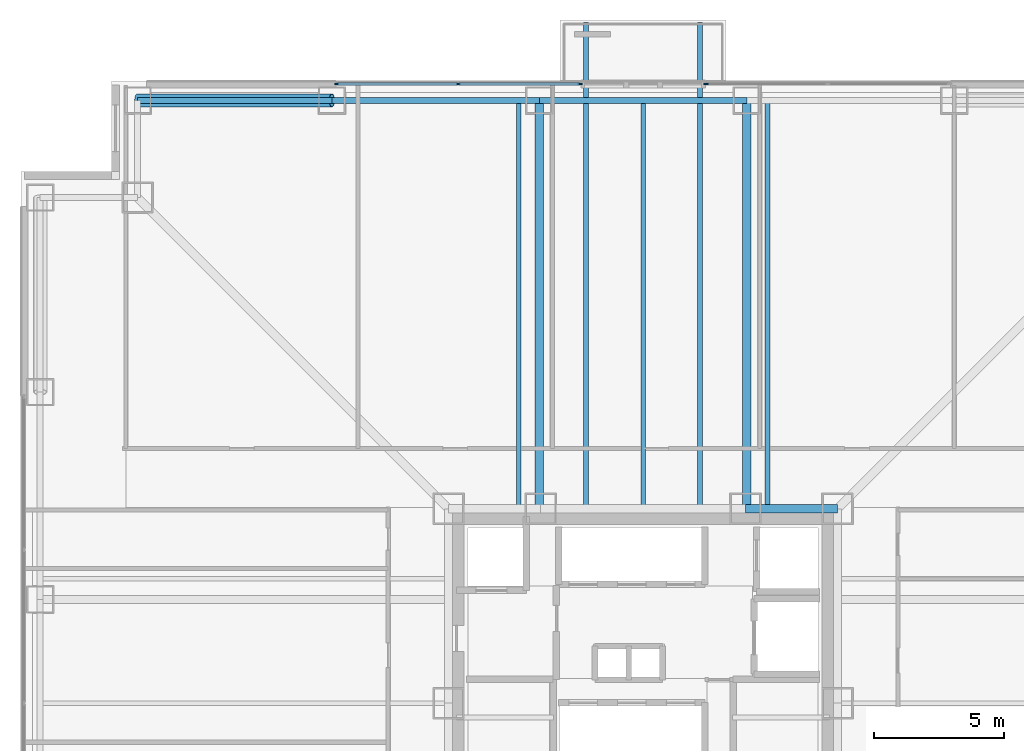
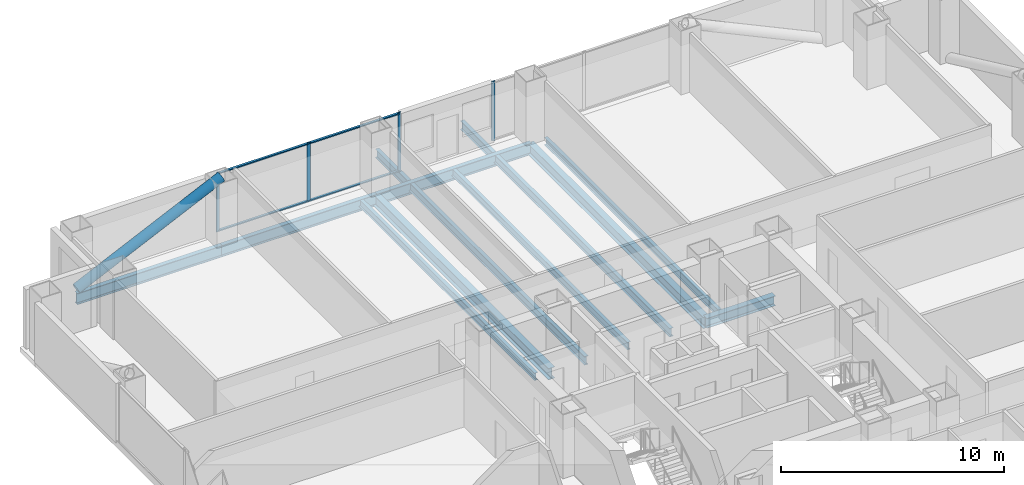
# One storey, part 8 of 16: 11 beams, 9 members, 2 elements without a shape of their own.
"""IFC4 building model written with IfcOpenShell, lengths in metres."""

import ifcopenshell
import ifcopenshell.guid

model = None  # the IFC model being written
_history = None  # IfcOwnerHistory: only IFC2X3 demands one
_inside = {}  # id of a spatial element -> (the spatial element, [elements in it])
_under = {}  # id of a project, library or spatial element -> (it, [spatial elements below it])
_declared = {}  # id of a project -> (the project, [libraries it declares])
_typed = {}  # id of a type object -> (the type object, [elements of that type])
_made_of = {}  # id of a material, layer set ... -> (it, [elements and type objects made of it])


def new_model(schema):
    """Start an empty IFC model of exactly this schema.

    Asked for "IFC4X3", IfcOpenShell would pick the latest addendum, in which some entities
    have other attributes; the version numbers below select the first issue.
    IFC2X3 requires an IfcOwnerHistory on every rooted entity: one is made here for all.
    """
    global model, _history
    if schema == "IFC4X3":
        model = ifcopenshell.file(schema_version=(4, 3, 0, 0))
    else:
        model = ifcopenshell.file(schema=schema)
    _inside.clear()
    _under.clear()
    _declared.clear()
    _typed.clear()
    _made_of.clear()
    _history = None
    if model.schema == "IFC2X3":
        org = make("IfcOrganization", Name="unknown")
        user = make(
            "IfcPersonAndOrganization",
            ThePerson=make("IfcPerson", FamilyName="unknown"),
            TheOrganization=org,
        )
        app = make(
            "IfcApplication",
            ApplicationDeveloper=org,
            Version="unknown",
            ApplicationFullName="unknown",
            ApplicationIdentifier="unknown",
        )
        _history = make(
            "IfcOwnerHistory",
            OwningUser=user,
            OwningApplication=app,
            ChangeAction="ADDED",
            CreationDate=0,
        )
    return model


def make(cls, **values):
    """One entity of the class cls with the attributes given. An attribute that is None is left unset."""
    return model.create_entity(
        cls, **{name: value for name, value in values.items() if value is not None}
    )


def rooted(cls, **values):
    """An entity with a GlobalId (a new one), such as an element, a storey or a relation."""
    return make(cls, GlobalId=ifcopenshell.guid.new(), OwnerHistory=_history, **values)


def si_unit(unit_type, name, prefix=None):
    """IfcSIUnit, for example si_unit("LENGTHUNIT", "METRE", prefix="MILLI")."""
    return make("IfcSIUnit", UnitType=unit_type, Prefix=prefix, Name=name)


def assignment(units):
    """IfcUnitAssignment: the units of a project."""
    return None if units is None else make("IfcUnitAssignment", Units=units)


def point(xyz):
    """IfcCartesianPoint."""
    return None if xyz is None else make("IfcCartesianPoint", Coordinates=xyz)


def direction(xyz):
    """IfcDirection."""
    return None if xyz is None else make("IfcDirection", DirectionRatios=xyz)


def frame(location, z_axis=None, x_axis=None):
    """IfcAxis2Placement3D, a coordinate frame: its origin and axes. An axis left out is left unset."""
    return make(
        "IfcAxis2Placement3D",
        Location=point(location),
        Axis=direction(z_axis),
        RefDirection=direction(x_axis),
    )


def frame_2d(location, x_axis=None):
    """IfcAxis2Placement2D, a coordinate frame in the plane: its origin and x axis."""
    return make(
        "IfcAxis2Placement2D", Location=point(location), RefDirection=direction(x_axis)
    )


def origin():
    """The frame at (0, 0, 0) with its axes left unset."""
    return frame((0.0, 0.0, 0.0))


def origin_2d():
    """The frame at (0, 0) in the plane with its x axis left unset."""
    return frame_2d((0.0, 0.0))


def place(relative_to, where):
    """IfcLocalPlacement: puts the frame where relative to a parent placement (None: the world)."""
    return make(
        "IfcLocalPlacement", PlacementRelTo=relative_to, RelativePlacement=where
    )


def context(
    kind, dimensions, precision=None, world=None, true_north=None, identifier=None
):
    """IfcGeometricRepresentationContext, for example the 3D "Model" context."""
    return make(
        "IfcGeometricRepresentationContext",
        ContextIdentifier=identifier,
        ContextType=kind,
        CoordinateSpaceDimension=dimensions,
        Precision=precision,
        WorldCoordinateSystem=world,
        TrueNorth=true_north,
    )


def subcontext(parent, identifier, kind, view, scale=None):
    """IfcGeometricRepresentationSubContext, for example "Body" below "Model"."""
    return make(
        "IfcGeometricRepresentationSubContext",
        ContextIdentifier=identifier,
        ContextType=kind,
        ParentContext=parent,
        TargetScale=scale,
        TargetView=view,
    )


def project(units=None, contexts=None):
    """IfcProject with its units and contexts."""
    return rooted(
        "IfcProject",
        Name="project",
        RepresentationContexts=contexts,
        UnitsInContext=assignment(units),
    )


def spatial(cls, under=None, at=None, **own):
    """A site, building, storey or space (cls), placed at a placement, below another one or the project."""
    s = rooted(cls, ObjectPlacement=at, **own)
    if under is not None:
        _under.setdefault(under.id(), (under, []))[1].append(s)
    return s


def profile(cls, at=None, kind="AREA", **sizes):
    """A parametric profile (cls). Its sizes go by their IFC names, for example OverallWidth=200.0."""
    return make(cls, ProfileType=kind, Position=at, **sizes)


def rectangle(**sizes):
    """IfcRectangleProfileDef."""
    return profile("IfcRectangleProfileDef", **sizes)


def hollow_circle(**sizes):
    """IfcCircleHollowProfileDef."""
    return profile("IfcCircleHollowProfileDef", **sizes)


def i_section(**sizes):
    """IfcIShapeProfileDef."""
    return profile("IfcIShapeProfileDef", **sizes)


def extrude(swept, where, along, depth):
    """IfcExtrudedAreaSolid: the profile swept, set in the frame where, extruded along a direction by depth."""
    return make(
        "IfcExtrudedAreaSolid",
        SweptArea=swept,
        Position=where,
        ExtrudedDirection=direction(along),
        Depth=depth,
    )


def shape(context_of_items, identifier, shape_type, items):
    """IfcShapeRepresentation: the items that make up one representation, for example the "Body"."""
    return make(
        "IfcShapeRepresentation",
        ContextOfItems=context_of_items,
        RepresentationIdentifier=identifier,
        RepresentationType=shape_type,
        Items=items,
    )


def material(Name=None, Category=None):
    """IfcMaterial."""
    return make("IfcMaterial", Name=Name, Category=Category)


def layer(
    of_material, thickness, ventilated=None, Name=None, Category=None, Priority=None
):
    """IfcMaterialLayer: one layer of a wall or slab, of a material (None: an air gap)."""
    return make(
        "IfcMaterialLayer",
        Material=of_material,
        LayerThickness=thickness,
        IsVentilated=ventilated,
        Name=Name,
        Category=Category,
        Priority=Priority,
    )


def layer_set(layers, Name=None):
    """IfcMaterialLayerSet."""
    return make("IfcMaterialLayerSet", MaterialLayers=layers, LayerSetName=Name)


def material_profile(
    of_material, cross_section, Name=None, Category=None, Priority=None
):
    """IfcMaterialProfile: a cross section and its material."""
    return make(
        "IfcMaterialProfile",
        Name=Name,
        Material=of_material,
        Profile=cross_section,
        Priority=Priority,
        Category=Category,
    )


def profile_set(profiles, Name=None, composite=None):
    """IfcMaterialProfileSet."""
    return make(
        "IfcMaterialProfileSet",
        Name=Name,
        MaterialProfiles=profiles,
        CompositeProfile=composite,
    )


def made_of(thing, what):
    """Note that an element or type object is made of a material, layer set ...; save() writes the relation."""
    if what is not None:
        _made_of.setdefault(what.id(), (what, []))[1].append(thing)
    return thing


def type_object(cls, material=None, **own):
    """A type object (cls), such as IfcWallType, which elements share."""
    return made_of(rooted(cls, **own), material)


def element(
    cls,
    number,
    at=None,
    inside=None,
    cuts=None,
    type_object=None,
    material=None,
    context=None,
    identifier="Body",
    shape_type=None,
    held_by="IfcProductDefinitionShape",
    body=None,
    shapes=None,
    **own,
):
    """One element of the class cls, such as IfcWall. Its Tag is "e" and its number.

    at: its placement. inside: the storey or other place that contains it. cuts: it is an
    opening in that element (IfcRelVoidsElement). A single representation is given by context,
    identifier, shape_type and body (its items); several are given by shapes. held_by: the class
    of the entity that holds the representations. save() writes the other relations.
    """
    e = rooted(cls, Tag="e%d" % number, ObjectPlacement=at, **own)
    if body is not None:
        shapes = [shape(context, identifier, shape_type, body)]
    if shapes is not None:
        e.Representation = make(held_by, Representations=shapes)
    if inside is not None:
        _inside.setdefault(inside.id(), (inside, []))[1].append(e)
    if cuts is not None:
        rooted(
            "IfcRelVoidsElement", RelatingBuildingElement=cuts, RelatedOpeningElement=e
        )
    if type_object is not None:
        _typed.setdefault(type_object.id(), (type_object, []))[1].append(e)
    return made_of(e, material)


def aggregate(whole, parts):
    """IfcRelAggregates: a whole, such as a stair, and the parts it consists of."""
    return rooted("IfcRelAggregates", RelatingObject=whole, RelatedObjects=parts)


def save(model, path):
    """Write the relations noted so far, then the file.

    IfcRelAggregates (storeys below a building ...), IfcRelContainedInSpatialStructure (elements
    in a storey), IfcRelDefinesByType, IfcRelAssociatesMaterial and IfcRelDeclares: one each for
    every whole, place, type object, material and project.
    """
    for whole, parts in _under.values():
        aggregate(whole, parts)
    for where, things in _inside.values():
        rooted(
            "IfcRelContainedInSpatialStructure",
            RelatedElements=things,
            RelatingStructure=where,
        )
    for kind, things in _typed.values():
        rooted("IfcRelDefinesByType", RelatedObjects=things, RelatingType=kind)
    for what, things in _made_of.values():
        rooted("IfcRelAssociatesMaterial", RelatedObjects=things, RelatingMaterial=what)
    for by, libraries in _declared.values():
        rooted("IfcRelDeclares", RelatingContext=by, RelatedDefinitions=libraries)
    model.write(path)


model = new_model("IFC4")

# Units and contexts
model_context = context("Model", 3, precision=1e-05, world=origin(), true_north=direction((0.0, 1.0)))
body_context = subcontext(model_context, "Body", "Model", "MODEL_VIEW")
ifc_project = project(units=[si_unit("LENGTHUNIT", "METRE"), si_unit("AREAUNIT", "SQUARE_METRE"), si_unit("VOLUMEUNIT", "CUBIC_METRE"), si_unit("PLANEANGLEUNIT", "RADIAN"), si_unit("MASSUNIT", "GRAM", prefix="KILO")], contexts=[model_context])

# Site, building, storey
site_placement = place(None, origin())
site = spatial("IfcSite", under=ifc_project, at=site_placement, CompositionType="ELEMENT")
building_placement = place(site_placement, origin())
building = spatial("IfcBuilding", under=site, at=building_placement, Name="Trevonay Congress Spire", CompositionType="ELEMENT")
storey_placement = place(building_placement, frame((0.0, 0.0, 65.5)))
storey = spatial("IfcBuildingStorey", under=building, at=storey_placement, Name="L16", CompositionType="ELEMENT", Elevation=65.5)

# Beams
ifc_material_1 = material(Name="Steel ASTM A572 Grade 50", Category="steel")
ifc_material_profile_1 = material_profile(ifc_material_1, i_section(OverallWidth=0.194091796875, OverallDepth=0.468994140625, WebThickness=0.011474609375, FlangeThickness=0.01953125, FilletRadius=0.013916015625, at=origin_2d()), Name="W460x106")
ifc_profile_set_1 = profile_set([ifc_material_profile_1], Name="Steel ASTM A572 Grade 50")
beam_type_1 = type_object("IfcBeamType", Name="BM-BAL-LOOKOUT", PredefinedType="BEAM", material=ifc_profile_set_1)
for number, where, z_axis, x_axis, name in (
    (1, (-2.199951171875, 7.5, -0.484619140625), (0.0, 1.0, 0.0), (-1.0, 0.0, 0.0), "L16 structural beam LKT-L16-N1"),
    (2, (2.199951171875, 7.5, -0.484619140625), (0.0, 1.0, 0.0), (-1.0, 0.0, 0.0), "L16 structural beam LKT-L16-N2"),
):
    element("IfcBeam", number, at=place(storey_placement, frame(where, z_axis=z_axis, x_axis=x_axis)), inside=storey, type_object=beam_type_1, Name=name, PredefinedType="BEAM", context=body_context, shape_type="SweptSolid", body=[
        extrude(i_section(OverallWidth=0.194091796875, OverallDepth=0.468994140625, WebThickness=0.011474609375, FlangeThickness=0.01953125, FilletRadius=0.013916015625, at=origin_2d()), origin(), (0.0, 0.0, 1.0), 18.75),
    ])
ifc_material_profile_2 = material_profile(ifc_material_1, i_section(OverallWidth=0.31201171875, OverallDepth=0.54296875, WebThickness=0.0126953125, FlangeThickness=0.020263671875, FilletRadius=0.014892578125, at=origin_2d()), Name="W530x150")
ifc_profile_set_2 = profile_set([ifc_material_profile_2], Name="Steel ASTM A572 Grade 50")
beam_type_2 = type_object("IfcBeamType", Name="BM-GIRD-W530X150", PredefinedType="BEAM", material=ifc_profile_set_2)
beam_1_placement = place(storey_placement, frame((3.949951171875, 7.5, -0.521484375), z_axis=(1.0, 0.0, 0.0), x_axis=(0.0, 1.0, 0.0)))
element("IfcBeam", 3, at=beam_1_placement, inside=storey, type_object=beam_type_2, Name="L16 structural beam BM-L16-CR-N3", PredefinedType="BEAM", context=body_context, shape_type="SweptSolid", body=[
    extrude(i_section(OverallWidth=0.31201171875, OverallDepth=0.54296875, WebThickness=0.0126953125, FlangeThickness=0.020263671875, FilletRadius=0.014892578125, at=origin_2d()), origin(), (0.0, 0.0, 1.0), 3.550048828125),
])
ifc_material_profile_3 = material_profile(ifc_material_1, i_section(OverallWidth=0.324951171875, OverallDepth=0.615966796875, WebThickness=0.013916015625, FlangeThickness=0.021484375, FilletRadius=0.01806640625, at=origin_2d()), Name="W610x174")
ifc_profile_set_3 = profile_set([ifc_material_profile_3], Name="Steel ASTM A572 Grade 50")
beam_type_3 = type_object("IfcBeamType", Name="BM-GIRD-W610X174", PredefinedType="BEAM", material=ifc_profile_set_3)
for number, where, z_axis, x_axis, name in (
    (4, (-4.0, 7.5, -0.55810546875), (0.0, 1.0, 0.0), (-1.0, 0.0, 0.0), "L16 structural beam BM-L16-GN-M"),
    (5, (4.0, 7.5, -0.55810546875), (0.0, 1.0, 0.0), (-1.0, 0.0, 0.0), "L16 structural beam BM-L16-GN-P"),
):
    element("IfcBeam", number, at=place(storey_placement, frame(where, z_axis=z_axis, x_axis=x_axis)), inside=storey, type_object=beam_type_3, Name=name, PredefinedType="BEAM", context=body_context, shape_type="SweptSolid", body=[
        extrude(i_section(OverallWidth=0.324951171875, OverallDepth=0.615966796875, WebThickness=0.013916015625, FlangeThickness=0.021484375, FilletRadius=0.01806640625, at=origin_2d()), origin(), (0.0, 0.0, 1.0), 15.75),
    ])
ifc_material_profile_4 = material_profile(ifc_material_1, i_section(OverallWidth=0.22998046875, OverallDepth=0.616943359375, WebThickness=0.01318359375, FlangeThickness=0.022216796875, FilletRadius=0.01611328125, at=origin_2d()), Name="W610x140")
ifc_profile_set_4 = profile_set([ifc_material_profile_4], Name="Steel ASTM A572 Grade 50")
beam_type_4 = type_object("IfcBeamType", Name="BM-RING-W610X140", PredefinedType="BEAM", material=ifc_profile_set_4)
beam_2_placement = place(storey_placement, frame((-19.5, 23.25, -0.55859375), z_axis=(1.0, 0.0, 0.0), x_axis=(0.0, 1.0, 0.0)))
element("IfcBeam", 6, at=beam_2_placement, inside=storey, type_object=beam_type_4, Name="L16 structural beam BM-L16-PN1", PredefinedType="BEAM", context=body_context, shape_type="SweptSolid", body=[
    extrude(i_section(OverallWidth=0.22998046875, OverallDepth=0.616943359375, WebThickness=0.01318359375, FlangeThickness=0.022216796875, FilletRadius=0.01611328125, at=origin_2d()), origin(), (0.0, 0.0, 1.0), 7.5),
])
for number, where, z_axis, x_axis, name in (
    (7, (-12.0, 23.25, -0.55859375), (1.0, 0.0, 0.0), (0.0, 1.0, 0.0), "L16 structural beam BM-L16-PN2"),
    (8, (-4.0, 23.25, -0.55859375), (1.0, 0.0, 0.0), (0.0, 1.0, 0.0), "L16 structural beam BM-L16-PN3"),
):
    element("IfcBeam", number, at=place(storey_placement, frame(where, z_axis=z_axis, x_axis=x_axis)), inside=storey, type_object=beam_type_4, Name=name, PredefinedType="BEAM", context=body_context, shape_type="SweptSolid", body=[
        extrude(i_section(OverallWidth=0.22998046875, OverallDepth=0.616943359375, WebThickness=0.01318359375, FlangeThickness=0.022216796875, FilletRadius=0.01611328125, at=origin_2d()), origin(), (0.0, 0.0, 1.0), 8.0),
    ])

# Curtain wall, members
ifc_material_2 = material(Name="Pale Anodised Aluminium EN AW-6063-T6", Category="aluminium")
ifc_layer = layer(ifc_material_2, 0.179931640625, Name="Pale Anodised Aluminium EN AW-6063-T6")
ifc_layer_set = layer_set([ifc_layer], Name="Pale Anodised Aluminium EN AW-6063-T6")
curtain_wall_type = type_object("IfcCurtainWallType", Name="CW-SYS02-HOTEL-PALE-METAL", PredefinedType="NOTDEFINED", material=ifc_layer_set)
curtain_wall_1_placement = place(storey_placement, origin())
curtain_wall_1 = element("IfcCurtainWall", 9, at=curtain_wall_1_placement, inside=storey, type_object=curtain_wall_type, Name="L16 NA unitised curtain wall", PredefinedType="NOTDEFINED")
ifc_material_profile_5 = material_profile(ifc_material_2, rectangle(XDim=0.06005859375, YDim=0.159912109375, at=origin_2d()), Name="CW-MULLION-160-ALUMINIUM")
ifc_profile_set_5 = profile_set([ifc_material_profile_5], Name="Pale Anodised Aluminium EN AW-6063-T6")
member_type_1 = type_object("IfcMemberType", Name="CW-MULLION-160-ALUMINIUM", PredefinedType="MULLION", material=ifc_profile_set_5)
member_1_placement = place(storey_placement, frame((-11.820068359375, 23.8798828125, 0.0), z_axis=(0.0, 0.0, 1.0), x_axis=(0.0, 1.0, 0.0)))
member_1 = element("IfcMember", 10, at=member_1_placement, type_object=member_type_1, Name="CW02 mullion 1", PredefinedType="MULLION", context=body_context, shape_type="SweptSolid", body=[
    extrude(rectangle(XDim=0.06005859375, YDim=0.159912109375, at=origin_2d()), origin(), (0.0, 0.0, 1.0), 3.25),
])
member_2_placement = place(storey_placement, frame((-7.125, 23.8798828125, 0.0), z_axis=(0.0, 0.0, 1.0), x_axis=(0.0, 1.0, 0.0)))
member_2 = element("IfcMember", 11, at=member_2_placement, type_object=member_type_1, Name="CW02 mullion 2", PredefinedType="MULLION", context=body_context, shape_type="SweptSolid", body=[
    extrude(rectangle(XDim=0.06005859375, YDim=0.159912109375, at=origin_2d()), origin(), (0.0, 0.0, 1.0), 3.25),
])
member_3_placement = place(storey_placement, frame((-2.429931640625, 23.8798828125, 0.0), z_axis=(0.0, 0.0, 1.0), x_axis=(0.0, 1.0, 0.0)))
member_3 = element("IfcMember", 12, at=member_3_placement, type_object=member_type_1, Name="CW02 mullion 3", PredefinedType="MULLION", context=body_context, shape_type="SweptSolid", body=[
    extrude(rectangle(XDim=0.06005859375, YDim=0.159912109375, at=origin_2d()), origin(), (0.0, 0.0, 1.0), 3.25),
])

# Curtain wall, member
curtain_wall_2_placement = place(storey_placement, origin())
curtain_wall_2 = element("IfcCurtainWall", 13, at=curtain_wall_2_placement, inside=storey, type_object=curtain_wall_type, Name="L16 NB unitised curtain wall", PredefinedType="NOTDEFINED")
member_4_placement = place(storey_placement, frame((2.429931640625, 23.8798828125, 0.0), z_axis=(0.0, 0.0, 1.0), x_axis=(0.0, 1.0, 0.0)))
member_4 = element("IfcMember", 14, at=member_4_placement, type_object=member_type_1, Name="CW02 mullion 1", PredefinedType="MULLION", context=body_context, shape_type="SweptSolid", body=[
    extrude(rectangle(XDim=0.06005859375, YDim=0.159912109375, at=origin_2d()), origin(), (0.0, 0.0, 1.0), 3.25),
])
aggregate(curtain_wall_2, [member_4])

# Member
ifc_material_profile_6 = material_profile(ifc_material_2, rectangle(XDim=0.1201171875, YDim=0.06005859375, at=origin_2d()), Name="CW-TRANSOM-120-ALUMINIUM")
ifc_profile_set_6 = profile_set([ifc_material_profile_6], Name="Pale Anodised Aluminium EN AW-6063-T6")
member_type_2 = type_object("IfcMemberType", Name="CW-TRANSOM-120-ALUMINIUM", PredefinedType="USERDEFINED", material=ifc_profile_set_6)
member_5_placement = place(storey_placement, frame((-11.7900390625, 23.8798828125, 0.06005859375), z_axis=(1.0, 0.0, 0.0), x_axis=(0.0, 1.0, 0.0)))
member_5 = element("IfcMember", 15, at=member_5_placement, type_object=member_type_2, Name="CW02 transom 1.1", ObjectType="TRANSOM", PredefinedType="USERDEFINED", context=body_context, shape_type="SweptSolid", body=[
    extrude(rectangle(XDim=0.1201171875, YDim=0.06005859375, at=origin_2d()), origin(), (0.0, 0.0, 1.0), 4.635009765625),
])

member_6_placement = place(storey_placement, frame((-11.7900390625, 23.8798828125, 3.18994140625), z_axis=(1.0, 0.0, 0.0), x_axis=(0.0, 1.0, 0.0)))
member_6 = element("IfcMember", 16, at=member_6_placement, type_object=member_type_2, Name="CW02 transom 1.2", ObjectType="TRANSOM", PredefinedType="USERDEFINED", context=body_context, shape_type="SweptSolid", body=[
    extrude(rectangle(XDim=0.1201171875, YDim=0.06005859375, at=origin_2d()), origin(), (0.0, 0.0, 1.0), 4.635009765625),
])

member_7_placement = place(storey_placement, frame((-7.094970703125, 23.8798828125, 0.06005859375), z_axis=(1.0, 0.0, 0.0), x_axis=(0.0, 1.0, 0.0)))
member_7 = element("IfcMember", 17, at=member_7_placement, type_object=member_type_2, Name="CW02 transom 2.1", ObjectType="TRANSOM", PredefinedType="USERDEFINED", context=body_context, shape_type="SweptSolid", body=[
    extrude(rectangle(XDim=0.1201171875, YDim=0.06005859375, at=origin_2d()), origin(), (0.0, 0.0, 1.0), 4.635009765625),
])

member_8_placement = place(storey_placement, frame((-7.094970703125, 23.8798828125, 3.18994140625), z_axis=(1.0, 0.0, 0.0), x_axis=(0.0, 1.0, 0.0)))
member_8 = element("IfcMember", 18, at=member_8_placement, type_object=member_type_2, Name="CW02 transom 2.2", ObjectType="TRANSOM", PredefinedType="USERDEFINED", context=body_context, shape_type="SweptSolid", body=[
    extrude(rectangle(XDim=0.1201171875, YDim=0.06005859375, at=origin_2d()), origin(), (0.0, 0.0, 1.0), 4.635009765625),
])

aggregate(curtain_wall_1, [member_1, member_2, member_3, member_5, member_6, member_7, member_8])

# Beams
ifc_material_profile_7 = material_profile(ifc_material_1, i_section(OverallWidth=0.177978515625, OverallDepth=0.406982421875, WebThickness=0.0078125, FlangeThickness=0.0126953125, FilletRadius=0.012939453125, at=origin_2d()), Name="W410x60")
ifc_profile_set_7 = profile_set([ifc_material_profile_7], Name="Steel ASTM A572 Grade 50")
beam_type_5 = type_object("IfcBeamType", Name="JS-COMP-W410X60", PredefinedType="JOIST", material=ifc_profile_set_7)
for number, where, z_axis, x_axis, name in (
    (19, (-4.800048828125, 7.5, -0.45361328125), (0.0, 1.0, 0.0), (-1.0, 0.0, 0.0), "L16 structural beam JS-L16-NS-N1"),
    (20, (0.0, 7.5, -0.45361328125), (0.0, 1.0, 0.0), (-1.0, 0.0, 0.0), "L16 structural beam JS-L16-NS-N2"),
    (21, (4.800048828125, 7.5, -0.45361328125), (0.0, 1.0, 0.0), (-1.0, 0.0, 0.0), "L16 structural beam JS-L16-NS-N3"),
):
    element("IfcBeam", number, at=place(storey_placement, frame(where, z_axis=z_axis, x_axis=x_axis)), inside=storey, type_object=beam_type_5, Name=name, PredefinedType="JOIST", context=body_context, shape_type="SweptSolid", body=[
        extrude(i_section(OverallWidth=0.177978515625, OverallDepth=0.406982421875, WebThickness=0.0078125, FlangeThickness=0.0126953125, FilletRadius=0.012939453125, at=origin_2d()), origin(), (0.0, 0.0, 1.0), 15.75),
    ])

# Member
ifc_material_profile_8 = material_profile(ifc_material_1, hollow_circle(Radius=0.25390625, WallThickness=0.02490234375, at=origin_2d()), Name="CHS 508x25")
ifc_profile_set_8 = profile_set([ifc_material_profile_8], Name="Steel ASTM A572 Grade 50")
member_type_3 = type_object("IfcMemberType", Name="MBR-TUBE-CHS508", PredefinedType="BRACE", material=ifc_profile_set_8)
member_9_placement = place(storey_placement, frame((-19.5, 23.25, -0.050048828125), z_axis=(0.906183139995, 0.0, 0.422885465331), x_axis=(0.0, 1.0, 0.0)))
element("IfcMember", 22, at=member_9_placement, inside=storey, type_object=member_type_3, Name="L16 perimeter braced-tube diagonal N0", PredefinedType="BRACE", context=body_context, shape_type="SweptSolid", body=[
    extrude(hollow_circle(Radius=0.25390625, WallThickness=0.02490234375, at=origin_2d()), origin(), (0.0, 0.0, 1.0), 8.2763671875),
])

save(model, "model.ifc")
